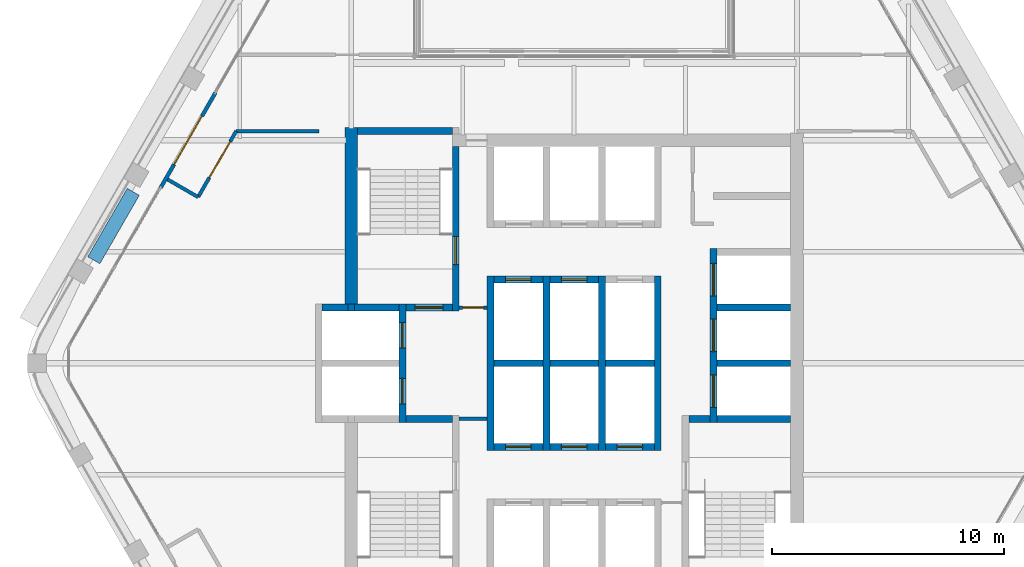
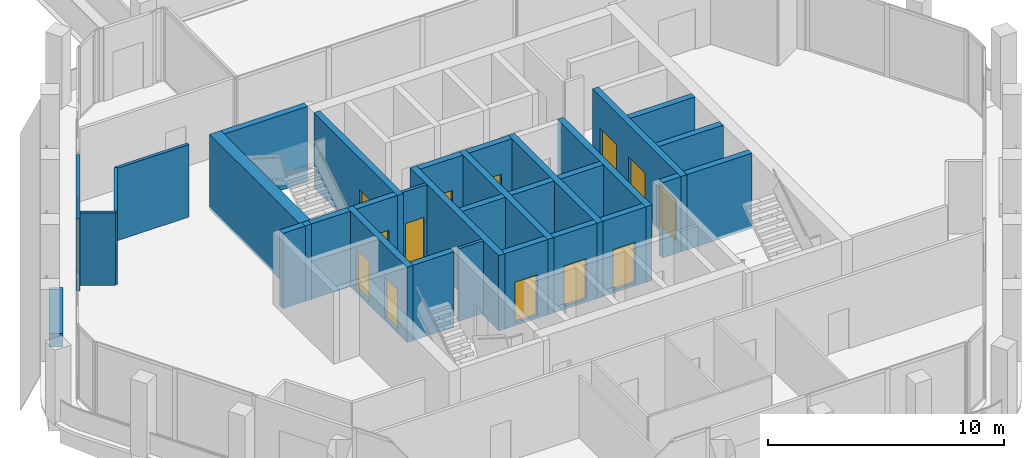
# One storey, part 11 of 16: 33 walls, 15 doors, 15 openings.
"""IFC4 building model written with IfcOpenShell, lengths in metres."""

from ifc_helpers import new_model, si_unit, direction, frame, frame_2d, origin, place, context, subcontext, project, spatial, rectangle, extrude, material, layer, layer_set, type_object, element, fill, save


model = new_model("IFC4")

# Units and contexts
model_context = context("Model", 3, precision=1e-05, world=origin(), true_north=direction((0.0, 1.0)))
body_context = subcontext(model_context, "Body", "Model", "MODEL_VIEW")
ifc_project = project(units=[si_unit("LENGTHUNIT", "METRE"), si_unit("AREAUNIT", "SQUARE_METRE"), si_unit("VOLUMEUNIT", "CUBIC_METRE"), si_unit("PLANEANGLEUNIT", "RADIAN"), si_unit("MASSUNIT", "GRAM", prefix="KILO")], contexts=[model_context])

# Site, building, storey
site_placement = place(None, origin())
site = spatial("IfcSite", under=ifc_project, at=site_placement, CompositionType="ELEMENT")
building_placement = place(site_placement, origin())
building = spatial("IfcBuilding", under=site, at=building_placement, Name="Kolab Exchange Tower", CompositionType="ELEMENT")
storey_placement = place(building_placement, frame((0.0, 0.0, 269.60009765625)))
storey = spatial("IfcBuildingStorey", under=building, at=storey_placement, Name="L60", CompositionType="ELEMENT", Elevation=269.60009765625)

# Wall
ifc_material_1 = material(Name="Concrete C50/60", Category="concrete")
ifc_layer_1 = layer(ifc_material_1, 0.550048828125)
ifc_layer_set_1 = layer_set([ifc_layer_1], Name="Concrete C50/60")
wall_type_1 = type_object("IfcWallType", Name="CORE WALL 550 C50/60", PredefinedType="SHEAR", material=ifc_layer_set_1)
wall_1_placement = place(storey_placement, frame((-9.60009765625, 2.550048828125, -0.150146484375), z_axis=(0.0, 0.0, 1.0), x_axis=(0.0, 1.0, 0.0)))
element("IfcWall", 1, at=wall_1_placement, inside=storey, type_object=wall_type_1, Name="wall/L60/core/037", PredefinedType="SHEAR", context=body_context, shape_type="SweptSolid", body=[
    extrude(rectangle(XDim=7.599853515625, YDim=0.550048828125, at=frame_2d((3.7998046875, 0.0))), origin(), (0.0, 0.0, 1.0), 3.900146484375),
])

# Wall, opening, door
ifc_material_2 = material(Name="Aluminium EN AW-6063 T6", Category="aluminium")
ifc_layer_2 = layer(ifc_material_2, 0.159912109375)
ifc_layer_set_2 = layer_set([ifc_layer_2], Name="Aluminium EN AW-6063 T6")
wall_type_2 = type_object("IfcWallType", Name="DOOR SURROUND WALL 160 ALUMINIUM FRAMED", PredefinedType="PARTITIONING", material=ifc_layer_set_2)
wall_2_placement = place(storey_placement, frame((-17.816650390625, 7.5498046875, 0.0), z_axis=(0.0, 0.0, 1.0), x_axis=(0.499978080042, 0.866038058908, 0.0)))
wall_2 = element("IfcWall", 2, at=wall_2_placement, inside=storey, type_object=wall_type_2, Name="Door surround wall", PredefinedType="PARTITIONING", context=body_context, shape_type="SweptSolid", body=[
    extrude(rectangle(XDim=4.739990234375, YDim=0.159912109375, at=frame_2d((2.3701171875, 0.0))), origin(), (0.0, 0.0, 1.0), 3.75),
])
opening_1_placement = place(wall_2_placement, frame((1.169921875, 0.0, 0.0)))
opening_1 = element("IfcOpeningElement", 3, at=opening_1_placement, cuts=wall_2, Name="Opening GD1-094", PredefinedType="OPENING", context=body_context, shape_type="SweptSolid", body=[
    extrude(rectangle(XDim=2.39990234375, YDim=2.39990234375, at=frame_2d((1.199951171875, 1.199951171875))), frame((0.0, 0.08984375, 0.0), z_axis=(0.0, -1.0, 0.0), x_axis=(1.0, 0.0, 0.0)), (0.0, 0.0, 1.0), 0.179931640625),
])
door_type_1 = type_object("IfcDoorType", Name="LOGGIA SLIDING GLASS DOOR 2400 X 2400", OperationType="DOUBLE_DOOR_SINGLE_SWING", PredefinedType="DOOR", material=ifc_material_2)
door_1_placement = place(opening_1_placement, origin())
door_1 = element("IfcDoor", 4, at=door_1_placement, inside=storey, type_object=door_type_1, Name="Loggia door", OperationType="DOUBLE_DOOR_SLIDING", OverallHeight=2.39990234375, OverallWidth=2.39990234375, PredefinedType="DOOR", context=body_context, shape_type="SweptSolid", body=[
    extrude(rectangle(XDim=2.39990234375, YDim=2.39990234375, at=frame_2d((1.199951171875, 1.199951171875))), frame((0.0, 0.02490234375, 0.0), z_axis=(0.0, -1.0, 0.0), x_axis=(1.0, 0.0, 0.0)), (0.0, 0.0, 1.0), 0.050048828125),
])
fill(opening_1, door_1)

ifc_layer_3 = layer(ifc_material_1, 0.300048828125)
ifc_layer_set_3 = layer_set([ifc_layer_3], Name="Concrete C50/60")
wall_type_3 = type_object("IfcWallType", Name="LIFT SHAFT WALL 300 C50/60", PredefinedType="STANDARD", material=ifc_layer_set_3)
wall_3_placement = place(storey_placement, frame((-3.449951171875, -3.60009765625, -0.150146484375), z_axis=(0.0, 0.0, 1.0), x_axis=(1.0, 0.0, 0.0)))
wall_3 = element("IfcWall", 5, at=wall_3_placement, inside=storey, type_object=wall_type_3, Name="wall/L60/core/006", PredefinedType="STANDARD", context=body_context, shape_type="SweptSolid", body=[
    extrude(rectangle(XDim=2.099853515625, YDim=0.300048828125, at=frame_2d((1.0498046875, 0.0))), origin(), (0.0, 0.0, 1.0), 3.900146484375),
])
opening_2_placement = place(wall_3_placement, frame((0.5, 0.0, 0.14990234375)))
opening_2 = element("IfcOpeningElement", 6, at=opening_2_placement, cuts=wall_3, Name="Opening LD1-118", PredefinedType="OPENING", context=body_context, shape_type="SweptSolid", body=[
    extrude(rectangle(XDim=1.10009765625, YDim=2.10009765625, at=frame_2d((0.550048828125, 1.050048828125))), frame((0.0, 0.16015625, 0.0), z_axis=(0.0, -1.0, 0.0), x_axis=(1.0, 0.0, 0.0)), (0.0, 0.0, 1.0), 0.320068359375),
])
ifc_material_3 = material(Name="Stainless steel 316", Category="steel")
door_type_2 = type_object("IfcDoorType", Name="LANDING DOOR 1100 PASSENGER", OperationType="DOUBLE_DOOR_SLIDING", PredefinedType="DOOR", material=ifc_material_3)
door_2_placement = place(opening_2_placement, origin())
door_2 = element("IfcDoor", 7, at=door_2_placement, inside=storey, type_object=door_type_2, Name="Landing door HR7", OperationType="DOUBLE_DOOR_SLIDING", OverallHeight=2.10009765625, OverallWidth=1.10009765625, PredefinedType="DOOR", context=body_context, shape_type="SweptSolid", body=[
    extrude(rectangle(XDim=1.10009765625, YDim=2.10009765625, at=frame_2d((0.550048828125, 1.050048828125))), frame((0.0, 0.02490234375, 0.0), z_axis=(0.0, -1.0, 0.0), x_axis=(1.0, 0.0, 0.0)), (0.0, 0.0, 1.0), 0.050048828125),
])
fill(opening_2, door_2)

wall_4_placement = place(storey_placement, frame((-1.050048828125, -3.60009765625, -0.150146484375), z_axis=(0.0, 0.0, 1.0), x_axis=(1.0, 0.0, 0.0)))
wall_4 = element("IfcWall", 8, at=wall_4_placement, inside=storey, type_object=wall_type_3, Name="wall/L60/core/007", PredefinedType="STANDARD", context=body_context, shape_type="SweptSolid", body=[
    extrude(rectangle(XDim=2.10009765625, YDim=0.300048828125, at=frame_2d((1.050048828125, 0.0))), origin(), (0.0, 0.0, 1.0), 3.900146484375),
])
opening_3_placement = place(wall_4_placement, frame((0.5, 0.0, 0.14990234375)))
opening_3 = element("IfcOpeningElement", 9, at=opening_3_placement, cuts=wall_4, Name="Opening LD1-119", PredefinedType="OPENING", context=body_context, shape_type="SweptSolid", body=[
    extrude(rectangle(XDim=1.10009765625, YDim=2.10009765625, at=frame_2d((0.550048828125, 1.050048828125))), frame((0.0, 0.16015625, 0.0), z_axis=(0.0, -1.0, 0.0), x_axis=(1.0, 0.0, 0.0)), (0.0, 0.0, 1.0), 0.320068359375),
])
door_3_placement = place(opening_3_placement, origin())
door_3 = element("IfcDoor", 10, at=door_3_placement, inside=storey, type_object=door_type_2, Name="Landing door HR8", OperationType="DOUBLE_DOOR_SLIDING", OverallHeight=2.10009765625, OverallWidth=1.10009765625, PredefinedType="DOOR", context=body_context, shape_type="SweptSolid", body=[
    extrude(rectangle(XDim=1.10009765625, YDim=2.10009765625, at=frame_2d((0.550048828125, 1.050048828125))), frame((0.0, 0.02490234375, 0.0), z_axis=(0.0, -1.0, 0.0), x_axis=(1.0, 0.0, 0.0)), (0.0, 0.0, 1.0), 0.050048828125),
])
fill(opening_3, door_3)

wall_5_placement = place(storey_placement, frame((1.35009765625, -3.60009765625, -0.150146484375), z_axis=(0.0, 0.0, 1.0), x_axis=(1.0, 0.0, 0.0)))
wall_5 = element("IfcWall", 11, at=wall_5_placement, inside=storey, type_object=wall_type_3, Name="wall/L60/core/008", PredefinedType="STANDARD", context=body_context, shape_type="SweptSolid", body=[
    extrude(rectangle(XDim=2.099853515625, YDim=0.300048828125, at=frame_2d((1.0498046875, 0.0))), origin(), (0.0, 0.0, 1.0), 3.900146484375),
])
opening_4_placement = place(wall_5_placement, frame((0.5, 0.0, 0.14990234375)))
opening_4 = element("IfcOpeningElement", 12, at=opening_4_placement, cuts=wall_5, Name="Opening LD1-120", PredefinedType="OPENING", context=body_context, shape_type="SweptSolid", body=[
    extrude(rectangle(XDim=1.10009765625, YDim=2.10009765625, at=frame_2d((0.550048828125, 1.050048828125))), frame((0.0, 0.16015625, 0.0), z_axis=(0.0, -1.0, 0.0), x_axis=(1.0, 0.0, 0.0)), (0.0, 0.0, 1.0), 0.320068359375),
])
door_4_placement = place(opening_4_placement, origin())
door_4 = element("IfcDoor", 13, at=door_4_placement, inside=storey, type_object=door_type_2, Name="Landing door HR9", OperationType="DOUBLE_DOOR_SLIDING", OverallHeight=2.10009765625, OverallWidth=1.10009765625, PredefinedType="DOOR", context=body_context, shape_type="SweptSolid", body=[
    extrude(rectangle(XDim=1.10009765625, YDim=2.10009765625, at=frame_2d((0.550048828125, 1.050048828125))), frame((0.0, 0.02490234375, 0.0), z_axis=(0.0, -1.0, 0.0), x_axis=(1.0, 0.0, 0.0)), (0.0, 0.0, 1.0), 0.050048828125),
])
fill(opening_4, door_4)

# Walls
wall_6_placement = place(storey_placement, frame((-3.449951171875, 0.0, -0.150146484375), z_axis=(0.0, 0.0, 1.0), x_axis=(1.0, 0.0, 0.0)))
element("IfcWall", 14, at=wall_6_placement, inside=storey, type_object=wall_type_3, Name="wall/L60/core/015", PredefinedType="STANDARD", context=body_context, shape_type="SweptSolid", body=[
    extrude(rectangle(XDim=2.099853515625, YDim=0.300048828125, at=frame_2d((1.0498046875, 0.0))), origin(), (0.0, 0.0, 1.0), 3.900146484375),
])
wall_7_placement = place(storey_placement, frame((-1.050048828125, 0.0, -0.150146484375), z_axis=(0.0, 0.0, 1.0), x_axis=(1.0, 0.0, 0.0)))
element("IfcWall", 15, at=wall_7_placement, inside=storey, type_object=wall_type_3, Name="wall/L60/core/016", PredefinedType="STANDARD", context=body_context, shape_type="SweptSolid", body=[
    extrude(rectangle(XDim=2.10009765625, YDim=0.300048828125, at=frame_2d((1.050048828125, 0.0))), origin(), (0.0, 0.0, 1.0), 3.900146484375),
])
wall_8_placement = place(storey_placement, frame((1.35009765625, 0.0, -0.150146484375), z_axis=(0.0, 0.0, 1.0), x_axis=(1.0, 0.0, 0.0)))
element("IfcWall", 16, at=wall_8_placement, inside=storey, type_object=wall_type_3, Name="wall/L60/core/017", PredefinedType="STANDARD", context=body_context, shape_type="SweptSolid", body=[
    extrude(rectangle(XDim=2.099853515625, YDim=0.300048828125, at=frame_2d((1.0498046875, 0.0))), origin(), (0.0, 0.0, 1.0), 3.900146484375),
])
wall_9_placement = place(storey_placement, frame((6.14990234375, 0.0, -0.150146484375), z_axis=(0.0, 0.0, 1.0), x_axis=(1.0, 0.0, 0.0)))
element("IfcWall", 17, at=wall_9_placement, inside=storey, type_object=wall_type_3, Name="wall/L60/core/018", PredefinedType="STANDARD", context=body_context, shape_type="SweptSolid", body=[
    extrude(rectangle(XDim=3.175048828125, YDim=0.300048828125, at=frame_2d((1.58740234375, 0.0))), origin(), (0.0, 0.0, 1.0), 3.900146484375),
])
wall_10_placement = place(storey_placement, frame((-10.85009765625, 2.39990234375, -0.150146484375), z_axis=(0.0, 0.0, 1.0), x_axis=(1.0, 0.0, 0.0)))
element("IfcWall", 18, at=wall_10_placement, inside=storey, type_object=wall_type_3, Name="wall/L60/core/019", PredefinedType="STANDARD", context=body_context, shape_type="SweptSolid", body=[
    extrude(rectangle(XDim=1.10009765625, YDim=0.300048828125, at=frame_2d((0.550048828125, 0.0))), origin(), (0.0, 0.0, 1.0), 3.900146484375),
])
wall_11_placement = place(storey_placement, frame((6.14990234375, 2.39990234375, -0.150146484375), z_axis=(0.0, 0.0, 1.0), x_axis=(1.0, 0.0, 0.0)))
element("IfcWall", 19, at=wall_11_placement, inside=storey, type_object=wall_type_3, Name="wall/L60/core/022", PredefinedType="STANDARD", context=body_context, shape_type="SweptSolid", body=[
    extrude(rectangle(XDim=3.175048828125, YDim=0.300048828125, at=frame_2d((1.58740234375, 0.0))), origin(), (0.0, 0.0, 1.0), 3.900146484375),
])

# Wall, opening, door
wall_12_placement = place(storey_placement, frame((-3.449951171875, 3.60009765625, -0.150146484375), z_axis=(0.0, 0.0, 1.0), x_axis=(1.0, 0.0, 0.0)))
wall_12 = element("IfcWall", 20, at=wall_12_placement, inside=storey, type_object=wall_type_3, Name="wall/L60/core/023", PredefinedType="STANDARD", context=body_context, shape_type="SweptSolid", body=[
    extrude(rectangle(XDim=2.099853515625, YDim=0.300048828125, at=frame_2d((1.0498046875, 0.0))), origin(), (0.0, 0.0, 1.0), 3.900146484375),
])
opening_5_placement = place(wall_12_placement, frame((0.5, 0.0, 0.14990234375)))
opening_5 = element("IfcOpeningElement", 21, at=opening_5_placement, cuts=wall_12, Name="Opening LD1-115", PredefinedType="OPENING", context=body_context, shape_type="SweptSolid", body=[
    extrude(rectangle(XDim=1.10009765625, YDim=2.10009765625, at=frame_2d((0.550048828125, 1.050048828125))), frame((0.0, 0.16015625, 0.0), z_axis=(0.0, -1.0, 0.0), x_axis=(1.0, 0.0, 0.0)), (0.0, 0.0, 1.0), 0.320068359375),
])
door_5_placement = place(opening_5_placement, origin())
door_5 = element("IfcDoor", 22, at=door_5_placement, inside=storey, type_object=door_type_2, Name="Landing door HR4", OperationType="DOUBLE_DOOR_SLIDING", OverallHeight=2.10009765625, OverallWidth=1.10009765625, PredefinedType="DOOR", context=body_context, shape_type="SweptSolid", body=[
    extrude(rectangle(XDim=1.10009765625, YDim=2.10009765625, at=frame_2d((0.550048828125, 1.050048828125))), frame((0.0, 0.02490234375, 0.0), z_axis=(0.0, -1.0, 0.0), x_axis=(1.0, 0.0, 0.0)), (0.0, 0.0, 1.0), 0.050048828125),
])
fill(opening_5, door_5)

wall_13_placement = place(storey_placement, frame((-1.050048828125, 3.60009765625, -0.150146484375), z_axis=(0.0, 0.0, 1.0), x_axis=(1.0, 0.0, 0.0)))
wall_13 = element("IfcWall", 23, at=wall_13_placement, inside=storey, type_object=wall_type_3, Name="wall/L60/core/024", PredefinedType="STANDARD", context=body_context, shape_type="SweptSolid", body=[
    extrude(rectangle(XDim=2.10009765625, YDim=0.300048828125, at=frame_2d((1.050048828125, 0.0))), origin(), (0.0, 0.0, 1.0), 3.900146484375),
])
opening_6_placement = place(wall_13_placement, frame((0.5, 0.0, 0.14990234375)))
opening_6 = element("IfcOpeningElement", 24, at=opening_6_placement, cuts=wall_13, Name="Opening LD1-116", PredefinedType="OPENING", context=body_context, shape_type="SweptSolid", body=[
    extrude(rectangle(XDim=1.10009765625, YDim=2.10009765625, at=frame_2d((0.550048828125, 1.050048828125))), frame((0.0, 0.16015625, 0.0), z_axis=(0.0, -1.0, 0.0), x_axis=(1.0, 0.0, 0.0)), (0.0, 0.0, 1.0), 0.320068359375),
])
door_6_placement = place(opening_6_placement, origin())
door_6 = element("IfcDoor", 25, at=door_6_placement, inside=storey, type_object=door_type_2, Name="Landing door HR5", OperationType="DOUBLE_DOOR_SLIDING", OverallHeight=2.10009765625, OverallWidth=1.10009765625, PredefinedType="DOOR", context=body_context, shape_type="SweptSolid", body=[
    extrude(rectangle(XDim=1.10009765625, YDim=2.10009765625, at=frame_2d((0.550048828125, 1.050048828125))), frame((0.0, 0.02490234375, 0.0), z_axis=(0.0, -1.0, 0.0), x_axis=(1.0, 0.0, 0.0)), (0.0, 0.0, 1.0), 0.050048828125),
])
fill(opening_6, door_6)

# Wall, openings, doors
wall_14_placement = place(storey_placement, frame((-7.39990234375, -2.550048828125, -0.150146484375), z_axis=(0.0, 0.0, 1.0), x_axis=(0.0, 1.0, 0.0)))
wall_14 = element("IfcWall", 26, at=wall_14_placement, inside=storey, type_object=wall_type_3, Name="wall/L60/core/038", PredefinedType="STANDARD", context=body_context, shape_type="SweptSolid", body=[
    extrude(rectangle(XDim=5.10009765625, YDim=0.300048828125, at=frame_2d((2.550048828125, 0.0))), origin(), (0.0, 0.0, 1.0), 3.900146484375),
])
opening_7_placement = place(wall_14_placement, frame((0.800048828125, 0.0, 0.14990234375)))
opening_7 = element("IfcOpeningElement", 27, at=opening_7_placement, cuts=wall_14, Name="Opening LD2-025", PredefinedType="OPENING", context=body_context, shape_type="SweptSolid", body=[
    extrude(rectangle(XDim=1.10009765625, YDim=2.10009765625, at=frame_2d((0.550048828125, 1.050048828125))), frame((0.0, 0.16015625, 0.0), z_axis=(0.0, -1.0, 0.0), x_axis=(1.0, 0.0, 0.0)), (0.0, 0.0, 1.0), 0.320068359375),
])
opening_8_placement = place(wall_14_placement, frame((3.199951171875, 0.0, 0.14990234375)))
opening_8 = element("IfcOpeningElement", 28, at=opening_8_placement, cuts=wall_14, Name="Opening LD2-026", PredefinedType="OPENING", context=body_context, shape_type="SweptSolid", body=[
    extrude(rectangle(XDim=1.10009765625, YDim=2.10009765625, at=frame_2d((0.550048828125, 1.050048828125))), frame((0.0, 0.16015625, 0.0), z_axis=(0.0, -1.0, 0.0), x_axis=(1.0, 0.0, 0.0)), (0.0, 0.0, 1.0), 0.320068359375),
])
door_type_3 = type_object("IfcDoorType", Name="LANDING DOOR 1100 FIREFIGHTING", OperationType="DOUBLE_DOOR_SLIDING", PredefinedType="DOOR", material=ifc_material_3)
door_7_placement = place(opening_7_placement, origin())
door_7 = element("IfcDoor", 29, at=door_7_placement, inside=storey, type_object=door_type_3, Name="Landing door FF1", OperationType="DOUBLE_DOOR_SLIDING", OverallHeight=2.10009765625, OverallWidth=1.10009765625, PredefinedType="DOOR", context=body_context, shape_type="SweptSolid", body=[
    extrude(rectangle(XDim=1.10009765625, YDim=2.10009765625, at=frame_2d((0.550048828125, 1.050048828125))), frame((0.0, 0.02490234375, 0.0), z_axis=(0.0, -1.0, 0.0), x_axis=(1.0, 0.0, 0.0)), (0.0, 0.0, 1.0), 0.050048828125),
])
fill(opening_7, door_7)
door_8_placement = place(opening_8_placement, origin())
door_8 = element("IfcDoor", 30, at=door_8_placement, inside=storey, type_object=door_type_3, Name="Landing door FF2", OperationType="DOUBLE_DOOR_SLIDING", OverallHeight=2.10009765625, OverallWidth=1.10009765625, PredefinedType="DOOR", context=body_context, shape_type="SweptSolid", body=[
    extrude(rectangle(XDim=1.10009765625, YDim=2.10009765625, at=frame_2d((0.550048828125, 1.050048828125))), frame((0.0, 0.02490234375, 0.0), z_axis=(0.0, -1.0, 0.0), x_axis=(1.0, 0.0, 0.0)), (0.0, 0.0, 1.0), 0.050048828125),
])
fill(opening_8, door_8)

# Walls
for number, where, z_axis, x_axis, name in (
    (31, (-3.60009765625, -3.75, -0.150146484375), (0.0, 0.0, 1.0), (0.0, 1.0, 0.0), "wall/L60/core/044"),
    (32, (-1.199951171875, -3.75, -0.150146484375), (0.0, 0.0, 1.0), (0.0, 1.0, 0.0), "wall/L60/core/047"),
    (33, (1.199951171875, -3.75, -0.150146484375), (0.0, 0.0, 1.0), (0.0, 1.0, 0.0), "wall/L60/core/050"),
    (34, (3.60009765625, -3.75, -0.150146484375), (0.0, 0.0, 1.0), (0.0, 1.0, 0.0), "wall/L60/core/053"),
):
    element("IfcWall", number, at=place(storey_placement, frame(where, z_axis=z_axis, x_axis=x_axis)), inside=storey, type_object=wall_type_3, Name=name, PredefinedType="STANDARD", context=body_context, shape_type="SweptSolid", body=[
        extrude(rectangle(XDim=7.5, YDim=0.300048828125, at=frame_2d((3.75, 0.0))), origin(), (0.0, 0.0, 1.0), 3.900146484375),
    ])

# Wall, openings, doors
wall_15_placement = place(storey_placement, frame((6.0, -2.550048828125, -0.150146484375), z_axis=(0.0, 0.0, 1.0), x_axis=(0.0, 1.0, 0.0)))
wall_15 = element("IfcWall", 35, at=wall_15_placement, inside=storey, type_object=wall_type_3, Name="wall/L60/core/057", PredefinedType="STANDARD", context=body_context, shape_type="SweptSolid", body=[
    extrude(rectangle(XDim=7.5, YDim=0.300048828125, at=frame_2d((3.75, 0.0))), origin(), (0.0, 0.0, 1.0), 3.900146484375),
])
opening_9_placement = place(wall_15_placement, frame((0.64990234375, 0.0, 0.14990234375)))
opening_9 = element("IfcOpeningElement", 36, at=opening_9_placement, cuts=wall_15, Name="Opening LD3-037", PredefinedType="OPENING", context=body_context, shape_type="SweptSolid", body=[
    extrude(rectangle(XDim=1.39990234375, YDim=2.10009765625, at=frame_2d((0.699951171875, 1.050048828125))), frame((0.0, 0.16015625, 0.0), z_axis=(0.0, -1.0, 0.0), x_axis=(1.0, 0.0, 0.0)), (0.0, 0.0, 1.0), 0.320068359375),
])
opening_10_placement = place(wall_15_placement, frame((3.050048828125, 0.0, 0.14990234375)))
opening_10 = element("IfcOpeningElement", 37, at=opening_10_placement, cuts=wall_15, Name="Opening LD3-038", PredefinedType="OPENING", context=body_context, shape_type="SweptSolid", body=[
    extrude(rectangle(XDim=1.39990234375, YDim=2.10009765625, at=frame_2d((0.699951171875, 1.050048828125))), frame((0.0, 0.16015625, 0.0), z_axis=(0.0, -1.0, 0.0), x_axis=(1.0, 0.0, 0.0)), (0.0, 0.0, 1.0), 0.320068359375),
])
opening_11_placement = place(wall_15_placement, frame((5.449951171875, 0.0, 0.14990234375)))
opening_11 = element("IfcOpeningElement", 38, at=opening_11_placement, cuts=wall_15, Name="Opening LD3-039", PredefinedType="OPENING", context=body_context, shape_type="SweptSolid", body=[
    extrude(rectangle(XDim=1.39990234375, YDim=2.10009765625, at=frame_2d((0.699951171875, 1.050048828125))), frame((0.0, 0.16015625, 0.0), z_axis=(0.0, -1.0, 0.0), x_axis=(1.0, 0.0, 0.0)), (0.0, 0.0, 1.0), 0.320068359375),
])
door_type_4 = type_object("IfcDoorType", Name="LANDING DOOR 1400 SERVICE", OperationType="DOUBLE_DOOR_SLIDING", PredefinedType="DOOR", material=ifc_material_3)
door_9_placement = place(opening_9_placement, origin())
door_9 = element("IfcDoor", 39, at=door_9_placement, inside=storey, type_object=door_type_4, Name="Landing door SV1", OperationType="DOUBLE_DOOR_SLIDING", OverallHeight=2.10009765625, OverallWidth=1.39990234375, PredefinedType="DOOR", context=body_context, shape_type="SweptSolid", body=[
    extrude(rectangle(XDim=1.39990234375, YDim=2.10009765625, at=frame_2d((0.699951171875, 1.050048828125))), frame((0.0, 0.02490234375, 0.0), z_axis=(0.0, -1.0, 0.0), x_axis=(1.0, 0.0, 0.0)), (0.0, 0.0, 1.0), 0.050048828125),
])
fill(opening_9, door_9)
door_10_placement = place(opening_10_placement, origin())
door_10 = element("IfcDoor", 40, at=door_10_placement, inside=storey, type_object=door_type_4, Name="Landing door SV2", OperationType="DOUBLE_DOOR_SLIDING", OverallHeight=2.10009765625, OverallWidth=1.39990234375, PredefinedType="DOOR", context=body_context, shape_type="SweptSolid", body=[
    extrude(rectangle(XDim=1.39990234375, YDim=2.10009765625, at=frame_2d((0.699951171875, 1.050048828125))), frame((0.0, 0.02490234375, 0.0), z_axis=(0.0, -1.0, 0.0), x_axis=(1.0, 0.0, 0.0)), (0.0, 0.0, 1.0), 0.050048828125),
])
fill(opening_10, door_10)
door_11_placement = place(opening_11_placement, origin())
door_11 = element("IfcDoor", 41, at=door_11_placement, inside=storey, type_object=door_type_4, Name="Landing door SV3", OperationType="DOUBLE_DOOR_SLIDING", OverallHeight=2.10009765625, OverallWidth=1.39990234375, PredefinedType="DOOR", context=body_context, shape_type="SweptSolid", body=[
    extrude(rectangle(XDim=1.39990234375, YDim=2.10009765625, at=frame_2d((0.699951171875, 1.050048828125))), frame((0.0, 0.02490234375, 0.0), z_axis=(0.0, -1.0, 0.0), x_axis=(1.0, 0.0, 0.0)), (0.0, 0.0, 1.0), 0.050048828125),
])
fill(opening_11, door_11)

# Wall, opening, door
ifc_material_4 = material(Name="Gypsum board", Category="gypsum")
ifc_layer_4 = layer(ifc_material_4, 0.14990234375)
ifc_layer_set_4 = layer_set([ifc_layer_4], Name="Gypsum board")
wall_type_4 = type_object("IfcWallType", Name="PARTITION 150 FIRE-RATED", PredefinedType="PARTITIONING", material=ifc_layer_set_4)
wall_16_placement = place(storey_placement, frame((-16.196044921875, 7.15673828125, 0.0), z_axis=(0.0, 0.0, 1.0), x_axis=(0.499954196102, 0.866051847062, 0.0)))
wall_16 = element("IfcWall", 42, at=wall_16_placement, inside=storey, type_object=wall_type_4, Name="Partition 011", PredefinedType="PARTITIONING", context=body_context, shape_type="SweptSolid", body=[
    extrude(rectangle(XDim=3.282958984375, YDim=0.14990234375, at=frame_2d((1.6416015625, 0.0))), origin(), (0.0, 0.0, 1.0), 3.75),
])
opening_12_placement = place(wall_16_placement, frame((0.968994140625, 0.0, 0.0)))
opening_12 = element("IfcOpeningElement", 43, at=opening_12_placement, cuts=wall_16, Name="Opening D2-075", PredefinedType="OPENING", context=body_context, shape_type="SweptSolid", body=[
    extrude(rectangle(XDim=1.800048828125, YDim=2.10009765625, at=frame_2d((0.89990234375, 1.050048828125))), frame((0.0, 0.0849609375, 0.0), z_axis=(0.0, -1.0, 0.0), x_axis=(1.0, 0.0, 0.0)), (0.0, 0.0, 1.0), 0.169921875),
])
ifc_material_5 = material(Name="Steel S235", Category="steel")
door_type_5 = type_object("IfcDoorType", Name="DOUBLE DOOR 1800 FD60", OperationType="DOUBLE_DOOR_SINGLE_SWING", PredefinedType="DOOR", material=ifc_material_5)
door_12_placement = place(opening_12_placement, frame((1.800048828125, 0.0, 0.0), z_axis=(0.0, 0.0, 1.0), x_axis=(-1.0, 0.0, 0.0)))
door_12 = element("IfcDoor", 44, at=door_12_placement, inside=storey, type_object=door_type_5, Name="Door L60-035", OperationType="SINGLE_SWING_RIGHT", OverallHeight=2.10009765625, OverallWidth=1.800048828125, PredefinedType="DOOR", context=body_context, shape_type="SweptSolid", body=[
    extrude(rectangle(XDim=1.800048828125, YDim=2.10009765625, at=frame_2d((0.89990234375, 1.050048828125))), frame((0.0, 0.02490234375, 0.0), z_axis=(0.0, -1.0, 0.0), x_axis=(1.0, 0.0, 0.0)), (0.0, 0.0, 1.0), 0.050048828125),
])
fill(opening_12, door_12)

# Walls
wall_17_placement = place(storey_placement, frame((-17.512451171875, 7.9169921875, 0.0), z_axis=(0.0, 0.0, 1.0), x_axis=(0.865960906633, -0.500111695708, 0.0)))
element("IfcWall", 45, at=wall_17_placement, inside=storey, type_object=wall_type_4, Name="Partition 012", PredefinedType="PARTITIONING", context=body_context, shape_type="SweptSolid", body=[
    extrude(rectangle(XDim=1.520263671875, YDim=0.14990234375, at=frame_2d((0.76025390625, 0.0))), origin(), (0.0, 0.0, 1.0), 3.75),
])
wall_18_placement = place(storey_placement, frame((-14.5546875, 10.0, 0.0), z_axis=(0.0, 0.0, 1.0), x_axis=(1.0, 0.0, 0.0)))
element("IfcWall", 46, at=wall_18_placement, inside=storey, type_object=wall_type_4, Name="Partition 022", PredefinedType="PARTITIONING", context=body_context, shape_type="SweptSolid", body=[
    extrude(rectangle(XDim=3.5546875, YDim=0.14990234375, at=frame_2d((1.77734375, 0.0))), origin(), (0.0, 0.0, 1.0), 3.75),
])

# Wall, opening, door
wall_19_placement = place(storey_placement, frame((-4.949951171875, 2.39990234375, 0.0), z_axis=(0.0, 0.0, 1.0), x_axis=(1.0, 0.0, 0.0)))
wall_19 = element("IfcWall", 47, at=wall_19_placement, inside=storey, type_object=wall_type_4, Name="Fire partition", PredefinedType="PARTITIONING", context=body_context, shape_type="SweptSolid", body=[
    extrude(rectangle(XDim=1.199951171875, YDim=0.14990234375, at=frame_2d((0.60009765625, 0.0))), origin(), (0.0, 0.0, 1.0), 3.75),
])
opening_13_placement = place(wall_19_placement, frame((0.14990234375, 0.0, 0.0)))
opening_13 = element("IfcOpeningElement", 48, at=opening_13_placement, cuts=wall_19, Name="Opening D6-288", PredefinedType="OPENING", context=body_context, shape_type="SweptSolid", body=[
    extrude(rectangle(XDim=0.89990234375, YDim=2.10009765625, at=frame_2d((0.449951171875, 1.050048828125))), frame((0.0, 0.0849609375, 0.0), z_axis=(0.0, -1.0, 0.0), x_axis=(1.0, 0.0, 0.0)), (0.0, 0.0, 1.0), 0.169921875),
])
door_type_6 = type_object("IfcDoorType", Name="CORE DOOR 900 EI 120", OperationType="SINGLE_SWING_LEFT", PredefinedType="DOOR", material=ifc_material_5)
door_13_placement = place(opening_13_placement, frame((0.89990234375, 0.0, 0.0), z_axis=(0.0, 0.0, 1.0), x_axis=(-1.0, 0.0, 0.0)))
door_13 = element("IfcDoor", 49, at=door_13_placement, inside=storey, type_object=door_type_6, Name="Firefighting lobby door", OperationType="SINGLE_SWING_RIGHT", OverallHeight=2.10009765625, OverallWidth=0.89990234375, PredefinedType="DOOR", context=body_context, shape_type="SweptSolid", body=[
    extrude(rectangle(XDim=0.89990234375, YDim=2.10009765625, at=frame_2d((0.449951171875, 1.050048828125))), frame((0.0, 0.02490234375, 0.0), z_axis=(0.0, -1.0, 0.0), x_axis=(1.0, 0.0, 0.0)), (0.0, 0.0, 1.0), 0.050048828125),
])
fill(opening_13, door_13)

# Walls
wall_20_placement = place(storey_placement, frame((-4.949951171875, -2.39990234375, 0.0), z_axis=(0.0, 0.0, 1.0), x_axis=(1.0, 0.0, 0.0)))
element("IfcWall", 50, at=wall_20_placement, inside=storey, type_object=wall_type_4, Name="Fire partition", PredefinedType="PARTITIONING", context=body_context, shape_type="SweptSolid", body=[
    extrude(rectangle(XDim=1.199951171875, YDim=0.14990234375, at=frame_2d((0.60009765625, 0.0))), origin(), (0.0, 0.0, 1.0), 3.75),
])
ifc_material_6 = material(Name="Granite facing", Category="masonry")
ifc_layer_5 = layer(ifc_material_6, 0.0400390625)
ifc_material_7 = material(Name="Concrete C40/50 precast", Category="concrete")
ifc_layer_6 = layer(ifc_material_7, 0.56005859375)
ifc_layer_set_5 = layer_set([ifc_layer_5, ifc_layer_6], Name="Concrete C40/50 precast")
wall_type_5 = type_object("IfcWallType", Name="PLANTER BOX 600 X 700 SOIL DEPTH 550", PredefinedType="USERDEFINED", material=ifc_layer_set_5)
wall_21_placement = place(storey_placement, frame((-20.68701171875, 4.438232421875, 0.0), z_axis=(0.0, 0.0, 1.0), x_axis=(0.500008388397, 0.866020560687, 0.0)))
element("IfcWall", 51, at=wall_21_placement, inside=storey, type_object=wall_type_5, Name="Planter", ObjectType="PLANTER", PredefinedType="USERDEFINED", context=body_context, shape_type="SweptSolid", body=[
    extrude(rectangle(XDim=3.39990234375, YDim=0.60009765625, at=frame_2d((1.699951171875, 0.0))), origin(), (0.0, 0.0, 1.0), 0.699951171875),
])
ifc_layer_7 = layer(ifc_material_1, 0.300048828125)
ifc_layer_set_6 = layer_set([ifc_layer_7], Name="Concrete C50/60")
wall_type_6 = type_object("IfcWallType", Name="STAIR ENCLOSURE WALL 300 C50/60", PredefinedType="STANDARD", material=ifc_layer_set_6)
wall_22_placement = place(storey_placement, frame((-7.25, -2.39990234375, -0.150146484375), z_axis=(0.0, 0.0, 1.0), x_axis=(1.0, 0.0, 0.0)))
element("IfcWall", 52, at=wall_22_placement, inside=storey, type_object=wall_type_6, Name="wall/L60/core/011", PredefinedType="STANDARD", context=body_context, shape_type="SweptSolid", body=[
    extrude(rectangle(XDim=2.0, YDim=0.300048828125, at=frame_2d((1.0, 0.0))), origin(), (0.0, 0.0, 1.0), 3.900146484375),
])
wall_23_placement = place(storey_placement, frame((4.949951171875, -2.39990234375, -0.150146484375), z_axis=(0.0, 0.0, 1.0), x_axis=(1.0, 0.0, 0.0)))
element("IfcWall", 53, at=wall_23_placement, inside=storey, type_object=wall_type_6, Name="wall/L60/core/012", PredefinedType="STANDARD", context=body_context, shape_type="SweptSolid", body=[
    extrude(rectangle(XDim=0.900146484375, YDim=0.300048828125, at=frame_2d((0.4501953125, 0.0))), origin(), (0.0, 0.0, 1.0), 3.900146484375),
])
wall_24_placement = place(storey_placement, frame((6.14990234375, -2.39990234375, -0.150146484375), z_axis=(0.0, 0.0, 1.0), x_axis=(1.0, 0.0, 0.0)))
element("IfcWall", 54, at=wall_24_placement, inside=storey, type_object=wall_type_6, Name="wall/L60/core/013", PredefinedType="STANDARD", context=body_context, shape_type="SweptSolid", body=[
    extrude(rectangle(XDim=3.175048828125, YDim=0.300048828125, at=frame_2d((1.58740234375, 0.0))), origin(), (0.0, 0.0, 1.0), 3.900146484375),
])
wall_25_placement = place(storey_placement, frame((-9.449951171875, 2.39990234375, -0.150146484375), z_axis=(0.0, 0.0, 1.0), x_axis=(1.0, 0.0, 0.0)))
element("IfcWall", 55, at=wall_25_placement, inside=storey, type_object=wall_type_6, Name="wall/L60/core/020", PredefinedType="STANDARD", context=body_context, shape_type="SweptSolid", body=[
    extrude(rectangle(XDim=1.89990234375, YDim=0.300048828125, at=frame_2d((0.949951171875, 0.0))), origin(), (0.0, 0.0, 1.0), 3.900146484375),
])

# Wall, opening, door
wall_26_placement = place(storey_placement, frame((-7.25, 2.39990234375, -0.150146484375), z_axis=(0.0, 0.0, 1.0), x_axis=(1.0, 0.0, 0.0)))
wall_26 = element("IfcWall", 56, at=wall_26_placement, inside=storey, type_object=wall_type_6, Name="wall/L60/core/021", PredefinedType="STANDARD", context=body_context, shape_type="SweptSolid", body=[
    extrude(rectangle(XDim=2.0, YDim=0.300048828125, at=frame_2d((1.0, 0.0))), origin(), (0.0, 0.0, 1.0), 3.900146484375),
])
opening_14_placement = place(wall_26_placement, frame((0.39990234375, 0.0, 0.14990234375)))
opening_14 = element("IfcOpeningElement", 57, at=opening_14_placement, cuts=wall_26, Name="Opening D4-065", PredefinedType="OPENING", context=body_context, shape_type="SweptSolid", body=[
    extrude(rectangle(XDim=1.199951171875, YDim=2.10009765625, at=frame_2d((0.60009765625, 1.050048828125))), frame((0.0, 0.16015625, 0.0), z_axis=(0.0, -1.0, 0.0), x_axis=(1.0, 0.0, 0.0)), (0.0, 0.0, 1.0), 0.320068359375),
])
door_type_7 = type_object("IfcDoorType", Name="STAIR DOOR 1200 EI 120", OperationType="SINGLE_SWING_LEFT", PredefinedType="DOOR", material=ifc_material_5)
door_14_placement = place(opening_14_placement, origin())
door_14 = element("IfcDoor", 58, at=door_14_placement, inside=storey, type_object=door_type_7, Name="Stair 1 door", OperationType="SINGLE_SWING_RIGHT", OverallHeight=2.10009765625, OverallWidth=1.199951171875, PredefinedType="DOOR", context=body_context, shape_type="SweptSolid", body=[
    extrude(rectangle(XDim=1.199951171875, YDim=2.10009765625, at=frame_2d((0.60009765625, 1.050048828125))), frame((0.0, 0.02490234375, 0.0), z_axis=(0.0, -1.0, 0.0), x_axis=(1.0, 0.0, 0.0)), (0.0, 0.0, 1.0), 0.050048828125),
])
fill(opening_14, door_14)

# Walls
wall_27_placement = place(storey_placement, frame((-9.324951171875, 10.0, -0.150146484375), z_axis=(0.0, 0.0, 1.0), x_axis=(1.0, 0.0, 0.0)))
element("IfcWall", 59, at=wall_27_placement, inside=storey, type_object=wall_type_6, Name="wall/L60/core/032", PredefinedType="STANDARD", context=body_context, shape_type="SweptSolid", body=[
    extrude(rectangle(XDim=4.074951171875, YDim=0.300048828125, at=frame_2d((2.03759765625, 0.0))), origin(), (0.0, 0.0, 1.0), 3.900146484375),
])
wall_28_placement = place(storey_placement, frame((-9.60009765625, 2.25, -0.150146484375), z_axis=(0.0, 0.0, 1.0), x_axis=(0.0, 1.0, 0.0)))
element("IfcWall", 60, at=wall_28_placement, inside=storey, type_object=wall_type_6, Name="wall/L60/core/036", PredefinedType="STANDARD", context=body_context, shape_type="SweptSolid", body=[
    extrude(rectangle(XDim=0.300048828125, YDim=0.300048828125, at=frame_2d((0.14990234375, 0.0))), origin(), (0.0, 0.0, 1.0), 3.900146484375),
])

# Wall, opening, door
wall_29_placement = place(storey_placement, frame((-5.10009765625, 2.25, -0.150146484375), z_axis=(0.0, 0.0, 1.0), x_axis=(0.0, 1.0, 0.0)))
wall_29 = element("IfcWall", 61, at=wall_29_placement, inside=storey, type_object=wall_type_6, Name="wall/L60/core/041", PredefinedType="STANDARD", context=body_context, shape_type="SweptSolid", body=[
    extrude(rectangle(XDim=7.074951171875, YDim=0.300048828125, at=frame_2d((3.53759765625, 0.0))), origin(), (0.0, 0.0, 1.0), 3.900146484375),
])
opening_15_placement = place(wall_29_placement, frame((2.0, 0.0, 0.14990234375)))
opening_15 = element("IfcOpeningElement", 62, at=opening_15_placement, cuts=wall_29, Name="Opening D4-076", PredefinedType="OPENING", context=body_context, shape_type="SweptSolid", body=[
    extrude(rectangle(XDim=1.199951171875, YDim=2.10009765625, at=frame_2d((0.60009765625, 1.050048828125))), frame((0.0, 0.16015625, 0.0), z_axis=(0.0, -1.0, 0.0), x_axis=(1.0, 0.0, 0.0)), (0.0, 0.0, 1.0), 0.320068359375),
])
door_15_placement = place(opening_15_placement, origin())
door_15 = element("IfcDoor", 63, at=door_15_placement, inside=storey, type_object=door_type_7, Name="Stair 1 door", OperationType="SINGLE_SWING_LEFT", OverallHeight=2.10009765625, OverallWidth=1.199951171875, PredefinedType="DOOR", context=body_context, shape_type="SweptSolid", body=[
    extrude(rectangle(XDim=1.199951171875, YDim=2.10009765625, at=frame_2d((0.60009765625, 1.050048828125))), frame((0.0, 0.02490234375, 0.0), z_axis=(0.0, -1.0, 0.0), x_axis=(1.0, 0.0, 0.0)), (0.0, 0.0, 1.0), 0.050048828125),
])
fill(opening_15, door_15)

save(model, "model.ifc")
